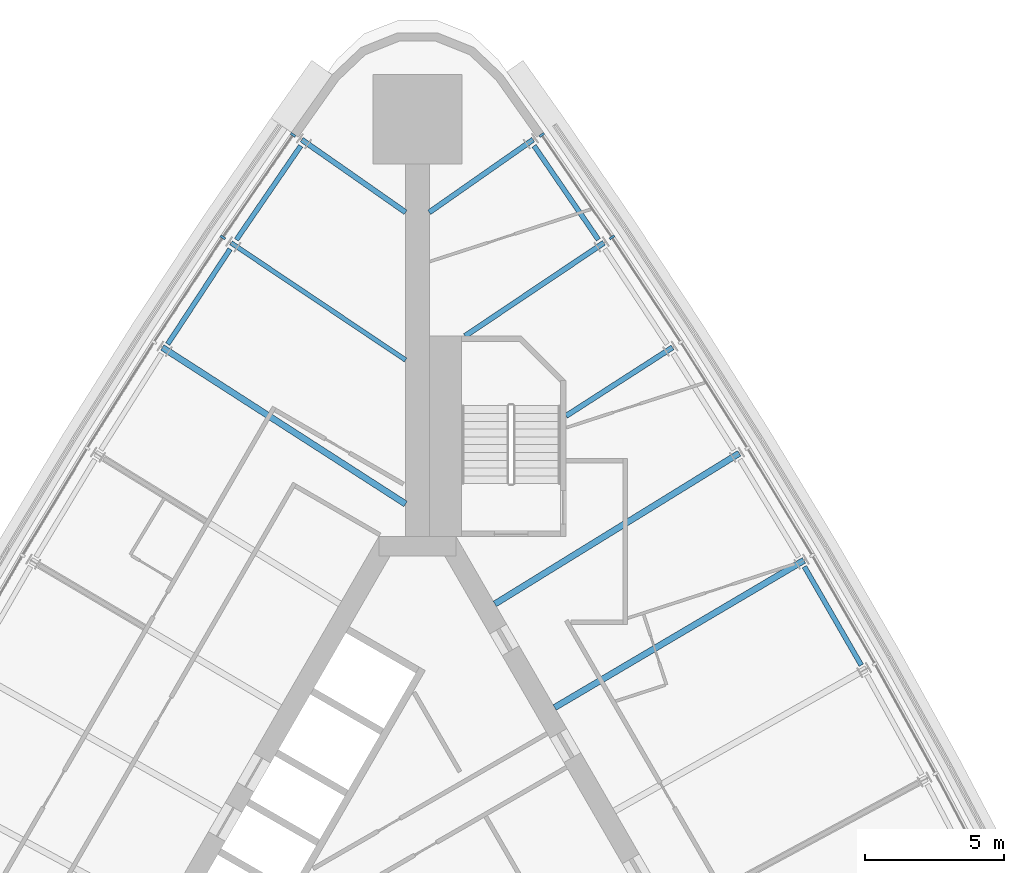
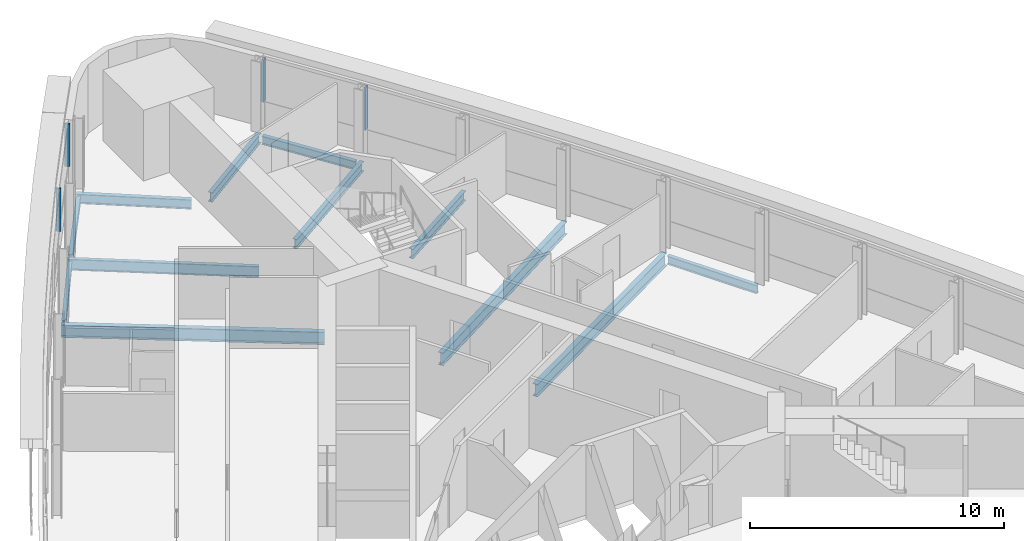
# One storey, part 7 of 15: 12 beams, 4 members, 2 elements without a shape of their own.
"""IFC4 building model written with IfcOpenShell, lengths in metres."""

from ifc_helpers import new_model, si_unit, direction, frame, origin, origin_2d, place, context, subcontext, project, spatial, rectangle, i_section, extrude, material, material_profile, profile_set, type_object, element, aggregate, save


model = new_model("IFC4")

# Units and contexts
model_context = context("Model", 3, precision=1e-05, world=origin(), true_north=direction((0.0, 1.0)))
body_context = subcontext(model_context, "Body", "Model", "MODEL_VIEW")
ifc_project = project(units=[si_unit("LENGTHUNIT", "METRE"), si_unit("AREAUNIT", "SQUARE_METRE"), si_unit("VOLUMEUNIT", "CUBIC_METRE"), si_unit("PLANEANGLEUNIT", "RADIAN"), si_unit("MASSUNIT", "GRAM", prefix="KILO")], contexts=[model_context])

# Site, building, storey
site_placement = place(None, origin())
site = spatial("IfcSite", under=ifc_project, at=site_placement, CompositionType="ELEMENT")
building_placement = place(site_placement, origin())
building = spatial("IfcBuilding", under=site, at=building_placement, Name="Noor Cloister Tower", CompositionType="ELEMENT")
storey_placement = place(building_placement, frame((0.0, 0.0, 69.0)))
storey = spatial("IfcBuildingStorey", under=building, at=storey_placement, Name="L17", CompositionType="ELEMENT", Elevation=69.0)

# Curtain wall, members
ifc_material_1 = material(Name="Aluminium 6063-T6 anodised", Category="aluminium")
curtain_wall_type = type_object("IfcCurtainWallType", Name="Ribbon curtain wall, lower tower CW1", PredefinedType="NOTDEFINED", material=ifc_material_1)
curtain_wall_1_placement = place(storey_placement, origin())
curtain_wall_1 = element("IfcCurtainWall", 1, at=curtain_wall_1_placement, inside=storey, type_object=curtain_wall_type, Name="CW1 L17 NW run 1", PredefinedType="NOTDEFINED")
ifc_material_2 = material(Name="Aluminium 6063-T6 anodised", Category="aluminium")
ifc_material_profile_1 = material_profile(ifc_material_2, rectangle(XDim=0.199951171875, YDim=0.080078125, at=origin_2d()), Name="200 x 80 mullion")
ifc_profile_set_1 = profile_set([ifc_material_profile_1], Name="Aluminium 6063-T6 anodised")
member_type = type_object("IfcMemberType", Name="Mullion CW1 80 x 200", PredefinedType="MULLION", material=ifc_profile_set_1)
member_1_placement = place(storey_placement, frame((-4.46435546875, 25.875732421875, 1.10009765625), z_axis=(0.0, 0.0, 1.0), x_axis=(0.82490173468, -0.56527615209, 0.0)))
member_1 = element("IfcMember", 2, at=member_1_placement, type_object=member_type, Name="CW1 mullion 1", PredefinedType="MULLION", context=body_context, shape_type="SweptSolid", body=[
    extrude(rectangle(XDim=0.199951171875, YDim=0.080078125, at=origin_2d()), origin(), (0.0, 0.0, 1.0), 2.0498046875),
])
member_2_placement = place(storey_placement, frame((-6.98486328125, 22.197509765625, 1.10009765625), z_axis=(0.0, 0.0, 1.0), x_axis=(0.830316014235, -0.557292846272, 0.0)))
member_2 = element("IfcMember", 3, at=member_2_placement, type_object=member_type, Name="CW1 mullion 2", PredefinedType="MULLION", context=body_context, shape_type="SweptSolid", body=[
    extrude(rectangle(XDim=0.199951171875, YDim=0.080078125, at=origin_2d()), origin(), (0.0, 0.0, 1.0), 2.0498046875),
])
aggregate(curtain_wall_1, [member_1, member_2])

curtain_wall_2_placement = place(storey_placement, origin())
curtain_wall_2 = element("IfcCurtainWall", 4, at=curtain_wall_2_placement, inside=storey, type_object=curtain_wall_type, Name="CW1 L17 NE run 3", PredefinedType="NOTDEFINED")
member_3_placement = place(storey_placement, frame((6.98486328125, 22.197509765625, 1.10009765625), z_axis=(0.0, 0.0, 1.0), x_axis=(-0.830316014235, -0.557292846272, 0.0)))
member_3 = element("IfcMember", 5, at=member_3_placement, type_object=member_type, Name="CW1 mullion 9", PredefinedType="MULLION", context=body_context, shape_type="SweptSolid", body=[
    extrude(rectangle(XDim=0.199951171875, YDim=0.080078125, at=origin_2d()), origin(), (0.0, 0.0, 1.0), 2.0498046875),
])
member_4_placement = place(storey_placement, frame((4.46435546875, 25.875732421875, 1.10009765625), z_axis=(0.0, 0.0, 1.0), x_axis=(-0.82490173468, -0.56527615209, 0.0)))
member_4 = element("IfcMember", 6, at=member_4_placement, type_object=member_type, Name="CW1 mullion 10", PredefinedType="MULLION", context=body_context, shape_type="SweptSolid", body=[
    extrude(rectangle(XDim=0.199951171875, YDim=0.080078125, at=origin_2d()), origin(), (0.0, 0.0, 1.0), 2.0498046875),
])
aggregate(curtain_wall_2, [member_3, member_4])

# Beams
ifc_material_3 = material(Name="Steel ASTM A992 Gr 50", Category="steel")
ifc_material_profile_2 = material_profile(ifc_material_3, i_section(OverallWidth=0.19091796875, OverallDepth=0.45703125, WebThickness=0.009033203125, FlangeThickness=0.014404296875, FilletRadius=0.01025390625, at=origin_2d()), Name="W460x74")
ifc_profile_set_2 = profile_set([ifc_material_profile_2], Name="Steel ASTM A992 Gr 50")
beam_type_1 = type_object("IfcBeamType", Name="Radial beam W460x74", PredefinedType="BEAM", material=ifc_profile_set_2)
beam_1_placement = place(storey_placement, frame((-4.153076171875, 25.705810546875, -0.428466796875), z_axis=(0.819408351842, -0.573210217051, 0.0), x_axis=(0.573210217051, 0.819408351842, 0.0)))
element("IfcBeam", 7, at=beam_1_placement, inside=storey, type_object=beam_type_1, Name="Radial beam NW 01 L17", PredefinedType="BEAM", context=body_context, shape_type="SweptSolid", body=[
    extrude(i_section(OverallWidth=0.19091796875, OverallDepth=0.45703125, WebThickness=0.009033203125, FlangeThickness=0.014404296875, FilletRadius=0.01025390625, at=origin_2d()), origin(), (0.0, 0.0, 1.0), 4.549560546875),
])
beam_2_placement = place(storey_placement, frame((9.158447265625, 18.247802734375, -0.428466796875), z_axis=(-0.840906162244, -0.541180955226, 0.0), x_axis=(0.541180955226, -0.840906162244, 0.0)))
element("IfcBeam", 8, at=beam_2_placement, inside=storey, type_object=beam_type_1, Name="Radial beam NE 08 L17", PredefinedType="BEAM", context=body_context, shape_type="SweptSolid", body=[
    extrude(i_section(OverallWidth=0.19091796875, OverallDepth=0.45703125, WebThickness=0.009033203125, FlangeThickness=0.014404296875, FilletRadius=0.01025390625, at=origin_2d()), origin(), (0.0, 0.0, 1.0), 4.5458984375),
])
beam_3_placement = place(storey_placement, frame((6.691650390625, 22.0009765625, -0.428466796875), z_axis=(-0.830312566173, -0.557297983538, 0.0), x_axis=(0.557297983538, -0.830312566173, 0.0)))
element("IfcBeam", 9, at=beam_3_placement, inside=storey, type_object=beam_type_1, Name="Radial beam NE 09 L17", PredefinedType="BEAM", context=body_context, shape_type="SweptSolid", body=[
    extrude(i_section(OverallWidth=0.19091796875, OverallDepth=0.45703125, WebThickness=0.009033203125, FlangeThickness=0.014404296875, FilletRadius=0.01025390625, at=origin_2d()), origin(), (0.0, 0.0, 1.0), 6.001220703125),
])
beam_4_placement = place(storey_placement, frame((4.153076171875, 25.705810546875, -0.428466796875), z_axis=(-0.819408351842, -0.573210217051, 0.0), x_axis=(0.573210217051, -0.819408351842, 0.0)))
element("IfcBeam", 10, at=beam_4_placement, inside=storey, type_object=beam_type_1, Name="Radial beam NE 10 L17", PredefinedType="BEAM", context=body_context, shape_type="SweptSolid", body=[
    extrude(i_section(OverallWidth=0.19091796875, OverallDepth=0.45703125, WebThickness=0.009033203125, FlangeThickness=0.014404296875, FilletRadius=0.01025390625, at=origin_2d()), origin(), (0.0, 0.0, 1.0), 4.549560546875),
])
ifc_material_4 = material(Name="Steel ASTM A992 Gr 50", Category="steel")
ifc_material_profile_3 = material_profile(ifc_material_4, i_section(OverallWidth=0.166015625, OverallDepth=0.528076171875, WebThickness=0.009765625, FlangeThickness=0.013671875, FilletRadius=0.0126953125, at=origin_2d()), Name="W530x74")
ifc_profile_set_3 = profile_set([ifc_material_profile_3], Name="Steel ASTM A992 Gr 50")
beam_type_2 = type_object("IfcBeamType", Name="Radial beam W530x74", PredefinedType="BEAM", material=ifc_profile_set_3)
beam_5_placement = place(storey_placement, frame((-6.691650390625, 22.0009765625, -0.464111328125), z_axis=(0.830299395912, -0.557317605274, 0.0), x_axis=(0.557317605274, 0.830299395912, 0.0)))
element("IfcBeam", 11, at=beam_5_placement, inside=storey, type_object=beam_type_2, Name="Radial beam NW 02 L17", PredefinedType="BEAM", context=body_context, shape_type="SweptSolid", body=[
    extrude(i_section(OverallWidth=0.166015625, OverallDepth=0.528076171875, WebThickness=0.009765625, FlangeThickness=0.013671875, FilletRadius=0.0126953125, at=origin_2d()), origin(), (0.0, 0.0, 1.0), 7.54736328125),
])
ifc_material_5 = material(Name="Steel ASTM A992 Gr 50", Category="steel")
ifc_material_profile_4 = material_profile(ifc_material_5, i_section(OverallWidth=0.22802734375, OverallDepth=0.60205078125, WebThickness=0.010498046875, FlangeThickness=0.014892578125, FilletRadius=0.0126953125, at=origin_2d()), Name="W610x101")
ifc_profile_set_4 = profile_set([ifc_material_profile_4], Name="Steel ASTM A992 Gr 50")
beam_type_3 = type_object("IfcBeamType", Name="Radial beam W610x101", PredefinedType="BEAM", material=ifc_profile_set_4)
beam_6_placement = place(storey_placement, frame((-9.158447265625, 18.247802734375, -0.5009765625), z_axis=(0.840903407515, -0.541185235598, 0.0), x_axis=(0.541185235598, 0.840903407515, 0.0)))
element("IfcBeam", 12, at=beam_6_placement, inside=storey, type_object=beam_type_3, Name="Radial beam NW 03 L17", PredefinedType="BEAM", context=body_context, shape_type="SweptSolid", body=[
    extrude(i_section(OverallWidth=0.22802734375, OverallDepth=0.60205078125, WebThickness=0.010498046875, FlangeThickness=0.014892578125, FilletRadius=0.0126953125, at=origin_2d()), origin(), (0.0, 0.0, 1.0), 10.3857421875),
])
beam_7_placement = place(storey_placement, frame((13.872802734375, 10.6025390625, -0.5009765625), z_axis=(-0.861158045586, -0.508337309789, 0.0), x_axis=(0.508337309789, -0.861158045586, 0.0)))
element("IfcBeam", 13, at=beam_7_placement, inside=storey, type_object=beam_type_3, Name="Radial beam NE 06 L17", PredefinedType="BEAM", context=body_context, shape_type="SweptSolid", body=[
    extrude(i_section(OverallWidth=0.22802734375, OverallDepth=0.60205078125, WebThickness=0.010498046875, FlangeThickness=0.014892578125, FilletRadius=0.0126953125, at=origin_2d()), origin(), (0.0, 0.0, 1.0), 10.387939453125),
])
beam_8_placement = place(storey_placement, frame((11.552490234375, 14.44775390625, -0.5009765625), z_axis=(-0.851198388975, -0.524844074565, 0.0), x_axis=(0.524844074565, -0.851198388975, 0.0)))
element("IfcBeam", 14, at=beam_8_placement, inside=storey, type_object=beam_type_3, Name="Radial beam NE 07 L17", PredefinedType="BEAM", context=body_context, shape_type="SweptSolid", body=[
    extrude(i_section(OverallWidth=0.22802734375, OverallDepth=0.60205078125, WebThickness=0.010498046875, FlangeThickness=0.014892578125, FilletRadius=0.0126953125, at=origin_2d()), origin(), (0.0, 0.0, 1.0), 10.304931640625),
])
ifc_material_6 = material(Name="Steel ASTM A992 Gr 50", Category="steel")
ifc_material_profile_5 = material_profile(ifc_material_6, i_section(OverallWidth=0.177978515625, OverallDepth=0.406005859375, WebThickness=0.0078125, FlangeThickness=0.0126953125, FilletRadius=0.01025390625, at=origin_2d()), Name="W410x60")
ifc_profile_set_5 = profile_set([ifc_material_profile_5], Name="Steel ASTM A992 Gr 50")
beam_type_4 = type_object("IfcBeamType", Name="Spandrel beam W410x60", PredefinedType="SPANDREL", material=ifc_profile_set_5)
for number, where, z_axis, x_axis, name in (
    (15, (-4.187744140625, 25.4833984375, -0.403076171875), (-0.56528792339, -0.824893668099, 0.0), (0.824893668099, -0.56528792339, 0.0), "Spandrel beam NW 01 L17"),
    (16, (-6.72216796875, 21.778076171875, -0.403076171875), (-0.54926851385, -0.835645917655, 0.0), (0.835645917655, -0.54926851385, 0.0), "Spandrel beam NW 02 L17"),
):
    element("IfcBeam", number, at=place(storey_placement, frame(where, z_axis=z_axis, x_axis=x_axis)), inside=storey, type_object=beam_type_4, Name=name, PredefinedType="SPANDREL", context=body_context, shape_type="SweptSolid", body=[
        extrude(i_section(OverallWidth=0.177978515625, OverallDepth=0.406005859375, WebThickness=0.0078125, FlangeThickness=0.0126953125, FilletRadius=0.01025390625, at=origin_2d()), origin(), (0.0, 0.0, 1.0), 4.085205078125),
    ])
beam_9_placement = place(storey_placement, frame((15.932861328125, 6.840087890625, -0.403076171875), z_axis=(-0.500001788232, 0.866024371346, 0.0), x_axis=(-0.866024371346, -0.500001788232, 0.0)))
element("IfcBeam", 17, at=beam_9_placement, inside=storey, type_object=beam_type_4, Name="Spandrel beam NE 05 L17", PredefinedType="SPANDREL", context=body_context, shape_type="SweptSolid", body=[
    extrude(i_section(OverallWidth=0.177978515625, OverallDepth=0.406005859375, WebThickness=0.0078125, FlangeThickness=0.0126953125, FilletRadius=0.01025390625, at=origin_2d()), origin(), (0.0, 0.0, 1.0), 4.08544921875),
])
beam_10_placement = place(storey_placement, frame((6.4970703125, 22.113525390625, -0.403076171875), z_axis=(-0.56528792339, 0.824893668099, 0.0), x_axis=(-0.824893668099, -0.56528792339, 0.0)))
element("IfcBeam", 18, at=beam_10_placement, inside=storey, type_object=beam_type_4, Name="Spandrel beam NE 09 L17", PredefinedType="SPANDREL", context=body_context, shape_type="SweptSolid", body=[
    extrude(i_section(OverallWidth=0.177978515625, OverallDepth=0.406005859375, WebThickness=0.0078125, FlangeThickness=0.0126953125, FilletRadius=0.01025390625, at=origin_2d()), origin(), (0.0, 0.0, 1.0), 4.085205078125),
])

save(model, "model.ifc")
